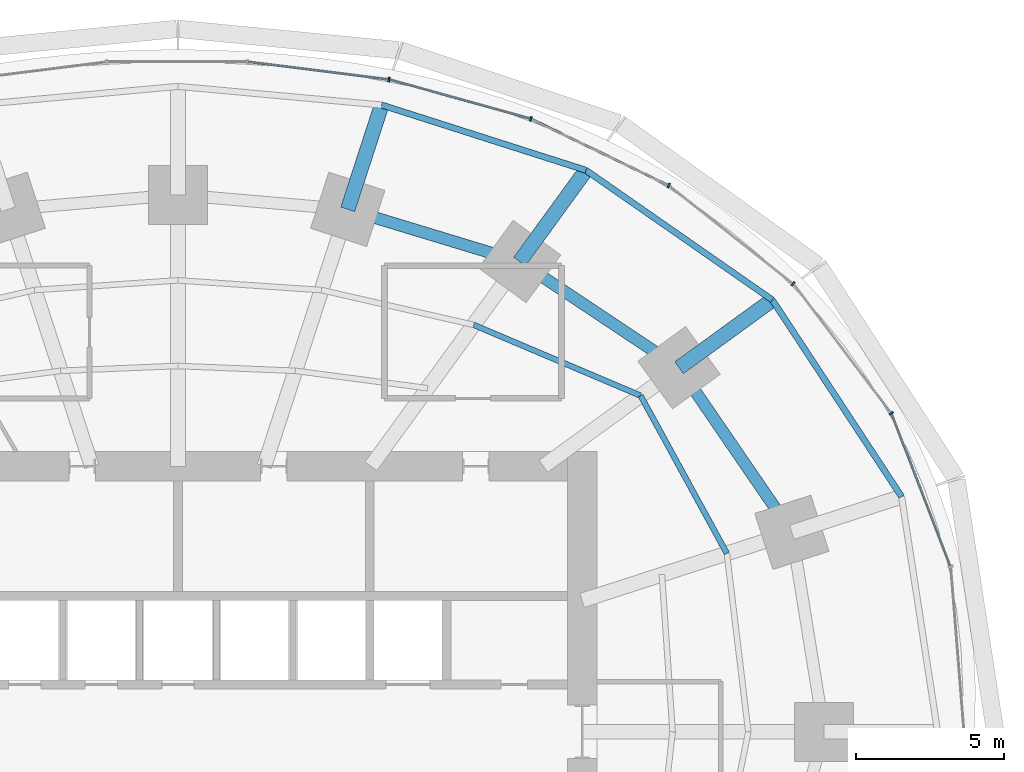
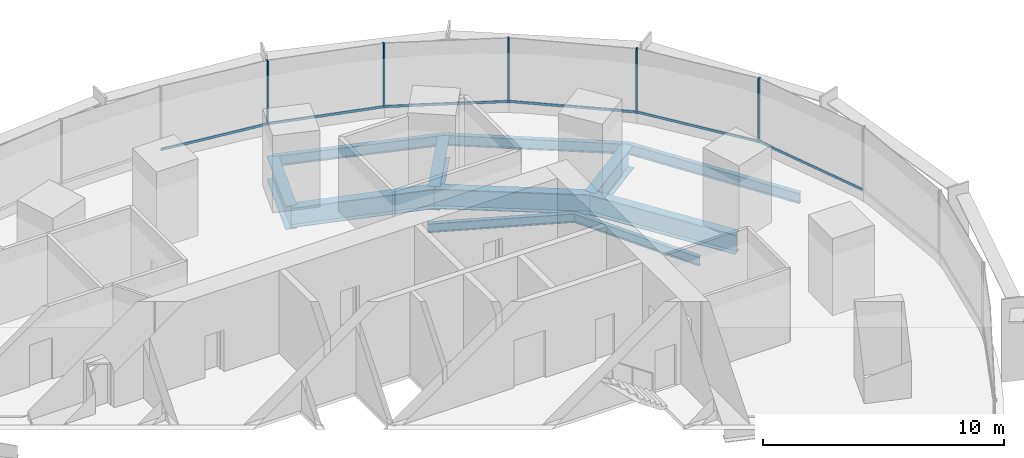
# One storey, part 9 of 15: 11 beams, 11 members, 2 elements without a shape of their own.
"""IFC4 building model written with IfcOpenShell, lengths in metres."""

from ifc_helpers import new_model, si_unit, direction, frame, origin, origin_2d, place, context, subcontext, project, spatial, rectangle, i_section, extrude, material, material_profile, profile_set, type_object, element, aggregate, save


model = new_model("IFC4")

# Units and contexts
model_context = context("Model", 3, precision=1e-05, world=origin(), true_north=direction((0.0, 1.0)))
body_context = subcontext(model_context, "Body", "Model", "MODEL_VIEW")
ifc_project = project(units=[si_unit("LENGTHUNIT", "METRE"), si_unit("AREAUNIT", "SQUARE_METRE"), si_unit("VOLUMEUNIT", "CUBIC_METRE"), si_unit("PLANEANGLEUNIT", "RADIAN"), si_unit("MASSUNIT", "GRAM", prefix="KILO")], contexts=[model_context])

# Site, building, storey
site_placement = place(None, origin())
site = spatial("IfcSite", under=ifc_project, at=site_placement, CompositionType="ELEMENT")
building_placement = place(site_placement, origin())
building = spatial("IfcBuilding", under=site, at=building_placement, Name="Marramba Exchange Tower", CompositionType="ELEMENT")
storey_placement = place(building_placement, frame((0.0, 0.0, 23.800048828125)))
storey = spatial("IfcBuildingStorey", under=building, at=storey_placement, Name="L05", CompositionType="ELEMENT", Elevation=23.800048828125)

# Beams
ifc_material_1 = material(Name="Steel AS/NZS 3679.2 grade 300", Category="steel")
ifc_material_profile_1 = material_profile(ifc_material_1, i_section(OverallWidth=0.5, OverallDepth=1.199951171875, WebThickness=0.01611328125, FlangeThickness=0.0400390625, at=origin_2d()), Name="1200WB455")
ifc_profile_set_1 = profile_set([ifc_material_profile_1], Name="Steel AS/NZS 3679.2 grade 300")
beam_type_1 = type_object("IfcBeamType", Name="Cantilever girder 1200WB455", PredefinedType="BEAM", material=ifc_profile_set_1)
beam_1_placement = place(storey_placement, frame((16.98583984375, 12.3408203125, -0.760009765625), z_axis=(0.808987260856, 0.587826174793, 0.0), x_axis=(-0.587826174793, 0.808987260856, 0.0)))
element("IfcBeam", 1, at=beam_1_placement, inside=storey, type_object=beam_type_1, Name="Cantilever girder L05 TC03", PredefinedType="BEAM", context=body_context, shape_type="SweptSolid", body=[
    extrude(i_section(OverallWidth=0.5, OverallDepth=1.199951171875, WebThickness=0.01611328125, FlangeThickness=0.0400390625, at=origin_2d()), origin(), (0.0, 0.0, 1.0), 3.90771484375),
])
beam_2_placement = place(storey_placement, frame((11.581298828125, 15.9404296875, -0.760009765625), z_axis=(0.587795827483, 0.809009310944, 0.0), x_axis=(-0.809009310944, 0.587795827483, 0.0)))
element("IfcBeam", 2, at=beam_2_placement, inside=storey, type_object=beam_type_1, Name="Cantilever girder L05 TC04", PredefinedType="BEAM", context=body_context, shape_type="SweptSolid", body=[
    extrude(i_section(OverallWidth=0.5, OverallDepth=1.199951171875, WebThickness=0.01611328125, FlangeThickness=0.0400390625, at=origin_2d()), origin(), (0.0, 0.0, 1.0), 3.82421875),
])
beam_3_placement = place(storey_placement, frame((5.75390625, 17.70849609375, -0.760009765625), z_axis=(0.308973290646, 0.951070715387, 0.0), x_axis=(-0.951070715387, 0.308973290646, 0.0)))
element("IfcBeam", 3, at=beam_3_placement, inside=storey, type_object=beam_type_1, Name="Cantilever girder L05 TC05", PredefinedType="BEAM", context=body_context, shape_type="SweptSolid", body=[
    extrude(i_section(OverallWidth=0.5, OverallDepth=1.199951171875, WebThickness=0.01611328125, FlangeThickness=0.0400390625, at=origin_2d()), origin(), (0.0, 0.0, 1.0), 3.72021484375),
])
ifc_material_2 = material(Name="Steel AS/NZS 3679.1 grade 300", Category="steel")
ifc_material_profile_2 = material_profile(ifc_material_2, i_section(OverallWidth=0.18994140625, OverallDepth=0.4541015625, WebThickness=0.008544921875, FlangeThickness=0.0126953125, FilletRadius=0.011474609375, at=origin_2d()), Name="460UB67.1")
ifc_profile_set_2 = profile_set([ifc_material_profile_2], Name="Steel AS/NZS 3679.1 grade 300")
beam_type_2 = type_object("IfcBeamType", Name="Floor joist 460UB67.1", PredefinedType="JOIST", material=ifc_profile_set_2)
beam_4_placement = place(storey_placement, frame((18.60546875, 6.04541015625, -0.386962890625), z_axis=(-0.479584443791, 0.877495732909, 0.0), x_axis=(-0.877495732909, -0.479584443791, 0.0)))
element("IfcBeam", 4, at=beam_4_placement, inside=storey, type_object=beam_type_2, Name="Joist L05 bay 02 row 2", PredefinedType="JOIST", context=body_context, shape_type="SweptSolid", body=[
    extrude(i_section(OverallWidth=0.18994140625, OverallDepth=0.4541015625, WebThickness=0.008544921875, FlangeThickness=0.0126953125, FilletRadius=0.011474609375, at=origin_2d()), origin(), (0.0, 0.0, 1.0), 6.094970703125),
])
beam_5_placement = place(storey_placement, frame((15.682373046875, 11.393798828125, -0.386962890625), z_axis=(-0.920674336375, 0.390331610738, 0.0), x_axis=(-0.390331610738, -0.920674336375, 0.0)))
element("IfcBeam", 5, at=beam_5_placement, inside=storey, type_object=beam_type_2, Name="Joist L05 bay 03 row 2", PredefinedType="JOIST", context=body_context, shape_type="SweptSolid", body=[
    extrude(i_section(OverallWidth=0.18994140625, OverallDepth=0.4541015625, WebThickness=0.008544921875, FlangeThickness=0.0126953125, FilletRadius=0.011474609375, at=origin_2d()), origin(), (0.0, 0.0, 1.0), 6.1484375),
])
ifc_material_profile_3 = material_profile(ifc_material_1, i_section(OverallWidth=0.39990234375, OverallDepth=1.0, WebThickness=0.01611328125, FlangeThickness=0.031982421875, at=origin_2d()), Name="1000WB322")
ifc_profile_set_3 = profile_set([ifc_material_profile_3], Name="Steel AS/NZS 3679.2 grade 300")
beam_type_3 = type_object("IfcBeamType", Name="Ring beam 1000WB322", PredefinedType="SPANDREL", material=ifc_profile_set_3)
beam_6_placement = place(storey_placement, frame((20.808349609375, 6.760986328125, -0.66015625), z_axis=(-0.56516002054, 0.824981303535, 0.0), x_axis=(-0.824981303535, -0.56516002054, 0.0)))
element("IfcBeam", 6, at=beam_6_placement, inside=storey, type_object=beam_type_3, Name="Ring beam L05 TC02-TC03", PredefinedType="SPANDREL", context=body_context, shape_type="SweptSolid", body=[
    extrude(i_section(OverallWidth=0.39990234375, OverallDepth=1.0, WebThickness=0.01611328125, FlangeThickness=0.031982421875, at=origin_2d()), origin(), (0.0, 0.0, 1.0), 6.763671875),
])
beam_7_placement = place(storey_placement, frame((16.98583984375, 12.3408203125, -0.66015625), z_axis=(-0.832293151443, 0.554335737673, 0.0), x_axis=(-0.554335737673, -0.832293151443, 0.0)))
element("IfcBeam", 7, at=beam_7_placement, inside=storey, type_object=beam_type_3, Name="Ring beam L05 TC03-TC04", PredefinedType="SPANDREL", context=body_context, shape_type="SweptSolid", body=[
    extrude(i_section(OverallWidth=0.39990234375, OverallDepth=1.0, WebThickness=0.01611328125, FlangeThickness=0.031982421875, at=origin_2d()), origin(), (0.0, 0.0, 1.0), 6.49365234375),
])
beam_8_placement = place(storey_placement, frame((11.581298828125, 15.9404296875, -0.66015625), z_axis=(-0.956924542524, 0.290336735387, 0.0), x_axis=(-0.290336735387, -0.956924542524, 0.0)))
element("IfcBeam", 8, at=beam_8_placement, inside=storey, type_object=beam_type_3, Name="Ring beam L05 TC04-TC05", PredefinedType="SPANDREL", context=body_context, shape_type="SweptSolid", body=[
    extrude(i_section(OverallWidth=0.39990234375, OverallDepth=1.0, WebThickness=0.01611328125, FlangeThickness=0.031982421875, at=origin_2d()), origin(), (0.0, 0.0, 1.0), 6.089599609375),
])
ifc_material_profile_4 = material_profile(ifc_material_2, i_section(OverallWidth=0.208984375, OverallDepth=0.528076171875, WebThickness=0.009521484375, FlangeThickness=0.01318359375, FilletRadius=0.013916015625, at=origin_2d()), Name="530UB82.0")
ifc_profile_set_4 = profile_set([ifc_material_profile_4], Name="Steel AS/NZS 3679.1 grade 300")
beam_type_4 = type_object("IfcBeamType", Name="Slab edge beam 530UB82.0", PredefinedType="SPANDREL", material=ifc_profile_set_4)
beam_9_placement = place(storey_placement, frame((24.528564453125, 7.9697265625, -0.424072265625), z_axis=(-0.549123544095, 0.835741188001, 0.0), x_axis=(-0.835741188001, -0.549123544095, 0.0)))
element("IfcBeam", 9, at=beam_9_placement, inside=storey, type_object=beam_type_4, Name="Slab edge beam L05 TC02-TC03", PredefinedType="SPANDREL", context=body_context, shape_type="SweptSolid", body=[
    extrude(i_section(OverallWidth=0.208984375, OverallDepth=0.528076171875, WebThickness=0.009521484375, FlangeThickness=0.01318359375, FilletRadius=0.013916015625, at=origin_2d()), origin(), (0.0, 0.0, 1.0), 7.978759765625),
])
beam_10_placement = place(storey_placement, frame((20.147216796875, 14.637939453125, -0.424072265625), z_axis=(-0.820842487183, 0.571154629882, 0.0), x_axis=(-0.571154629882, -0.820842487183, 0.0)))
element("IfcBeam", 10, at=beam_10_placement, inside=storey, type_object=beam_type_4, Name="Slab edge beam L05 TC03-TC04", PredefinedType="SPANDREL", context=body_context, shape_type="SweptSolid", body=[
    extrude(i_section(OverallWidth=0.208984375, OverallDepth=0.528076171875, WebThickness=0.009521484375, FlangeThickness=0.01318359375, FilletRadius=0.013916015625, at=origin_2d()), origin(), (0.0, 0.0, 1.0), 7.697021484375),
])
beam_11_placement = place(storey_placement, frame((13.8291015625, 19.0341796875, -0.424072265625), z_axis=(-0.952577642997, 0.304295635957, 0.0), x_axis=(-0.304295635957, -0.952577642997, 0.0)))
element("IfcBeam", 11, at=beam_11_placement, inside=storey, type_object=beam_type_4, Name="Slab edge beam L05 TC04-TC05", PredefinedType="SPANDREL", context=body_context, shape_type="SweptSolid", body=[
    extrude(i_section(OverallWidth=0.208984375, OverallDepth=0.528076171875, WebThickness=0.009521484375, FlangeThickness=0.01318359375, FilletRadius=0.013916015625, at=origin_2d()), origin(), (0.0, 0.0, 1.0), 7.2705078125),
])

# Curtain wall, members
ifc_material_3 = material(Name="Aluminium framing, bronze anodised", Category="aluminium")
curtain_wall_type = type_object("IfcCurtainWallType", Name="Trading floor ribbon curtain wall", PredefinedType="USERDEFINED", material=ifc_material_3)
curtain_wall_1_placement = place(storey_placement, origin())
curtain_wall_1 = element("IfcCurtainWall", 12, at=curtain_wall_1_placement, inside=storey, type_object=curtain_wall_type, Name="Curtain wall CW3 L05 F01-F05", ObjectType="RIBBON CURTAIN WALL", PredefinedType="USERDEFINED")
ifc_material_4 = material(Name="Aluminium mullion, bronze anodised", Category="aluminium")
ifc_material_profile_5 = material_profile(ifc_material_4, rectangle(XDim=0.159912109375, YDim=0.06005859375, at=origin_2d()), Name="CW3 mullion 60x160")
ifc_profile_set_5 = profile_set([ifc_material_profile_5], Name="Aluminium mullion, bronze anodised")
member_type_1 = type_object("IfcMemberType", Name="Trading floor ribbon curtain wall mullion", PredefinedType="MULLION", material=ifc_profile_set_5)
member_1_placement = place(storey_placement, frame((24.178466796875, 10.796875, 0.800048828125), z_axis=(0.0, 0.0, 1.0), x_axis=(-0.797748922445, -0.602989765036, 0.0)))
member_1 = element("IfcMember", 13, at=member_1_placement, type_object=member_type_1, Name="CW3 mullion 1", PredefinedType="MULLION", context=body_context, shape_type="SweptSolid", body=[
    extrude(rectangle(XDim=0.159912109375, YDim=0.06005859375, at=origin_2d()), origin(), (0.0, 0.0, 1.0), 3.239990234375),
])
member_2_placement = place(storey_placement, frame((20.851806640625, 15.185546875, 0.800048828125), z_axis=(0.0, 0.0, 1.0), x_axis=(-0.620649730166, -0.784087949432, 0.0)))
member_2 = element("IfcMember", 14, at=member_2_placement, type_object=member_type_1, Name="CW3 mullion 1", PredefinedType="MULLION", context=body_context, shape_type="SweptSolid", body=[
    extrude(rectangle(XDim=0.159912109375, YDim=0.06005859375, at=origin_2d()), origin(), (0.0, 0.0, 1.0), 3.239990234375),
])
member_3_placement = place(storey_placement, frame((16.63330078125, 18.516357421875, 0.800048828125), z_axis=(0.0, 0.0, 1.0), x_axis=(-0.43596538664, -0.899963433508, 0.0)))
member_3 = element("IfcMember", 15, at=member_3_placement, type_object=member_type_1, Name="CW3 mullion 1", PredefinedType="MULLION", context=body_context, shape_type="SweptSolid", body=[
    extrude(rectangle(XDim=0.159912109375, YDim=0.06005859375, at=origin_2d()), origin(), (0.0, 0.0, 1.0), 3.239990234375),
])

curtain_wall_2_placement = place(storey_placement, origin())
curtain_wall_2 = element("IfcCurtainWall", 16, at=curtain_wall_2_placement, inside=storey, type_object=curtain_wall_type, Name="Curtain wall CW3 L05 F06-F10", ObjectType="RIBBON CURTAIN WALL", PredefinedType="USERDEFINED")
member_4_placement = place(storey_placement, frame((11.96044921875, 20.774169921875, 0.800048828125), z_axis=(0.0, 0.0, 1.0), x_axis=(-0.267808735815, -0.963472096649, 0.0)))
member_4 = element("IfcMember", 17, at=member_4_placement, type_object=member_type_1, Name="CW3 mullion 1", PredefinedType="MULLION", context=body_context, shape_type="SweptSolid", body=[
    extrude(rectangle(XDim=0.159912109375, YDim=0.06005859375, at=origin_2d()), origin(), (0.0, 0.0, 1.0), 3.239990234375),
])
member_5_placement = place(storey_placement, frame((7.15185546875, 22.106201171875, 0.800048828125), z_axis=(0.0, 0.0, 1.0), x_axis=(-0.124872723099, -0.992172768738, 0.0)))
member_5 = element("IfcMember", 18, at=member_5_placement, type_object=member_type_1, Name="CW3 mullion 1", PredefinedType="MULLION", context=body_context, shape_type="SweptSolid", body=[
    extrude(rectangle(XDim=0.159912109375, YDim=0.06005859375, at=origin_2d()), origin(), (0.0, 0.0, 1.0), 3.239990234375),
])

# Member
ifc_material_5 = material(Name="Aluminium transom, bronze anodised", Category="aluminium")
ifc_material_profile_6 = material_profile(ifc_material_5, rectangle(XDim=0.06005859375, YDim=0.1201171875, at=origin_2d()), Name="CW3 transom 60x120")
ifc_profile_set_6 = profile_set([ifc_material_profile_6], Name="Aluminium transom, bronze anodised")
member_type_2 = type_object("IfcMemberType", Name="Trading floor ribbon curtain wall transom", PredefinedType="USERDEFINED", material=ifc_profile_set_6)
member_6_placement = place(storey_placement, frame((26.179931640625, 5.625244140625, 0.829833984375), z_axis=(-0.359533581349, 0.933132147063, 0.0), x_axis=(-0.933132147063, -0.359533581349, 0.0)))
member_6 = element("IfcMember", 19, at=member_6_placement, type_object=member_type_2, Name="CW3 sill transom", ObjectType="TRANSOM", PredefinedType="USERDEFINED", context=body_context, shape_type="SweptSolid", body=[
    extrude(rectangle(XDim=0.06005859375, YDim=0.1201171875, at=origin_2d()), origin(), (0.0, 0.0, 1.0), 5.5166015625),
])

member_7_placement = place(storey_placement, frame((24.160400390625, 10.82080078125, 0.829833984375), z_axis=(-0.602985866158, 0.797751869452, 0.0), x_axis=(-0.797751869452, -0.602985866158, 0.0)))
member_7 = element("IfcMember", 20, at=member_7_placement, type_object=member_type_2, Name="CW3 sill transom", ObjectType="TRANSOM", PredefinedType="USERDEFINED", context=body_context, shape_type="SweptSolid", body=[
    extrude(rectangle(XDim=0.06005859375, YDim=0.1201171875, at=origin_2d()), origin(), (0.0, 0.0, 1.0), 5.44775390625),
])

member_8_placement = place(storey_placement, frame((20.828369140625, 15.2041015625, 0.829833984375), z_axis=(-0.784097975735, 0.620637063385, 0.0), x_axis=(-0.620637063385, -0.784097975735, 0.0)))
member_8 = element("IfcMember", 21, at=member_8_placement, type_object=member_type_2, Name="CW3 sill transom", ObjectType="TRANSOM", PredefinedType="USERDEFINED", context=body_context, shape_type="SweptSolid", body=[
    extrude(rectangle(XDim=0.06005859375, YDim=0.1201171875, at=origin_2d()), origin(), (0.0, 0.0, 1.0), 5.315673828125),
])

member_9_placement = place(storey_placement, frame((16.6064453125, 18.529296875, 0.829833984375), z_axis=(-0.89995331781, 0.43598626786, 0.0), x_axis=(-0.43598626786, -0.89995331781, 0.0)))
member_9 = element("IfcMember", 22, at=member_9_placement, type_object=member_type_2, Name="CW3 sill transom", ObjectType="TRANSOM", PredefinedType="USERDEFINED", context=body_context, shape_type="SweptSolid", body=[
    extrude(rectangle(XDim=0.06005859375, YDim=0.1201171875, at=origin_2d()), origin(), (0.0, 0.0, 1.0), 5.13037109375),
])

aggregate(curtain_wall_1, [member_6, member_1, member_7, member_2, member_8, member_3, member_9])

member_10_placement = place(storey_placement, frame((11.931396484375, 20.7822265625, 0.829833984375), z_axis=(-0.963468938163, 0.267820098565, 0.0), x_axis=(-0.267820098565, -0.963468938163, 0.0)))
member_10 = element("IfcMember", 23, at=member_10_placement, type_object=member_type_2, Name="CW3 sill transom", ObjectType="TRANSOM", PredefinedType="USERDEFINED", context=body_context, shape_type="SweptSolid", body=[
    extrude(rectangle(XDim=0.06005859375, YDim=0.1201171875, at=origin_2d()), origin(), (0.0, 0.0, 1.0), 4.929931640625),
])

member_11_placement = place(storey_placement, frame((7.1220703125, 22.10986328125, 0.829833984375), z_axis=(-0.99216810728, 0.124909755012, 0.0), x_axis=(-0.124909755012, -0.99216810728, 0.0)))
member_11 = element("IfcMember", 24, at=member_11_placement, type_object=member_type_2, Name="CW3 sill transom", ObjectType="TRANSOM", PredefinedType="USERDEFINED", context=body_context, shape_type="SweptSolid", body=[
    extrude(rectangle(XDim=0.06005859375, YDim=0.1201171875, at=origin_2d()), origin(), (0.0, 0.0, 1.0), 4.77294921875),
])

aggregate(curtain_wall_2, [member_4, member_10, member_5, member_11])

save(model, "model.ifc")
